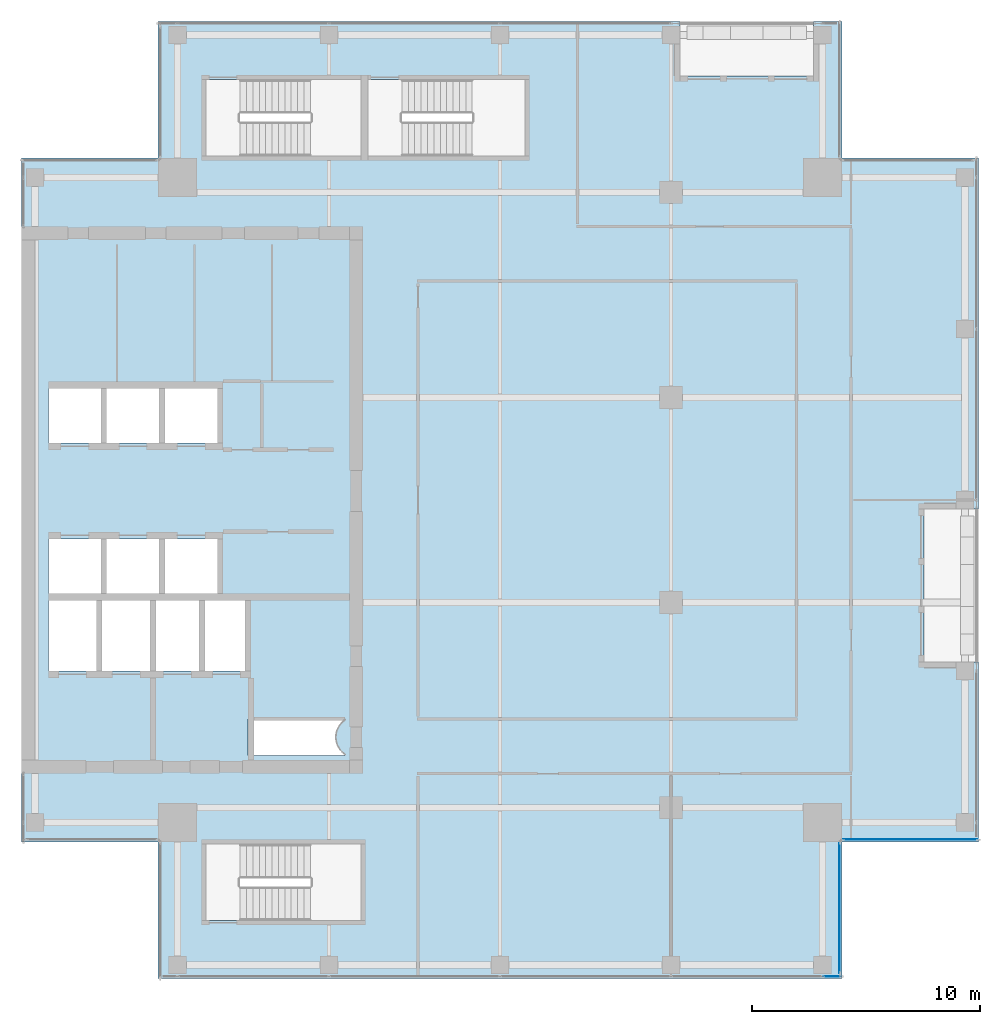
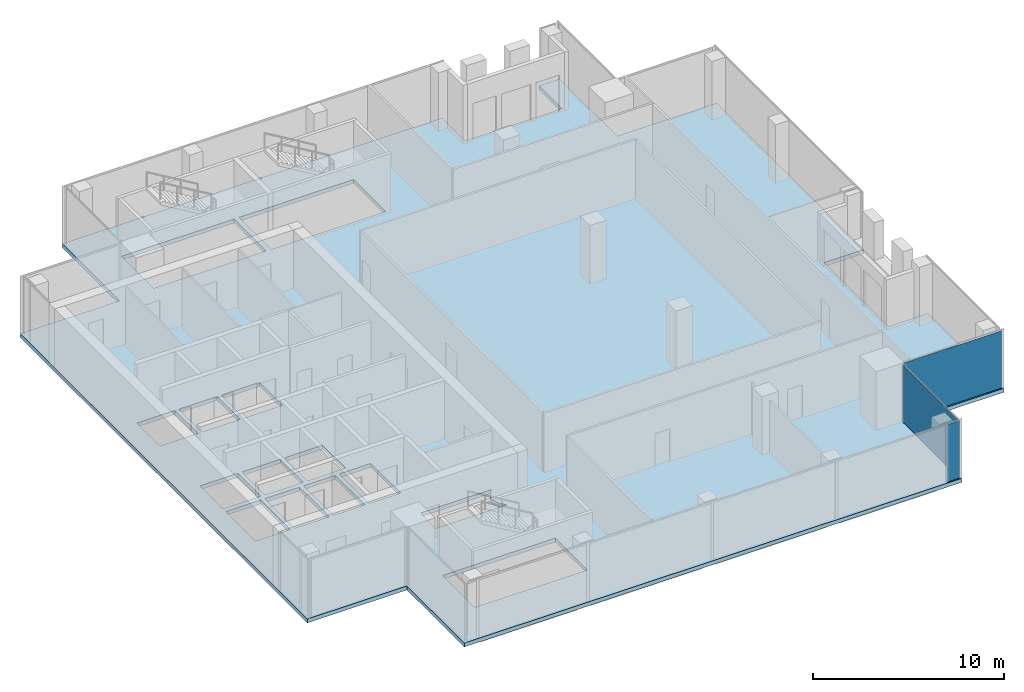
# One storey, part 21 of 29: 3 plates, 1 slab, 3 elements without a shape of their own.
"""IFC4 building model written with IfcOpenShell, lengths in metres."""

from ifc_helpers import new_model, si_unit, direction, frame, origin, origin_2d, place, context, subcontext, project, spatial, polyline, rectangle, outline, extrude, source, transform, mapped, material, layer, layer_set, type_object, element, aggregate, save


model = new_model("IFC4")

# Units and contexts
model_context = context("Model", 3, precision=1e-05, world=origin(), true_north=direction((0.0, 1.0)))
body_context = subcontext(model_context, "Body", "Model", "MODEL_VIEW")
ifc_project = project(units=[si_unit("LENGTHUNIT", "METRE"), si_unit("AREAUNIT", "SQUARE_METRE"), si_unit("VOLUMEUNIT", "CUBIC_METRE"), si_unit("PLANEANGLEUNIT", "RADIAN"), si_unit("MASSUNIT", "GRAM", prefix="KILO")], contexts=[model_context])

# Site, building, storey
site_placement = place(None, origin())
site = spatial("IfcSite", under=ifc_project, at=site_placement, CompositionType="ELEMENT")
building_placement = place(site_placement, origin())
building = spatial("IfcBuilding", under=site, at=building_placement, Name="Khomas Fold Tower", CompositionType="ELEMENT")
storey_placement = place(building_placement, frame((0.0, 0.0, 326.199951171875)))
storey = spatial("IfcBuildingStorey", under=building, at=storey_placement, Name="L74", CompositionType="ELEMENT", Elevation=326.199951171875)

# Slab
ifc_material_1 = material(Name="Concrete C40/50", Category="concrete")
ifc_layer_1 = layer(ifc_material_1, 0.25)
ifc_layer_set_1 = layer_set([ifc_layer_1], Name="Concrete C40/50")
slab_type = type_object("IfcSlabType", Name="RC floor slab 250", PredefinedType="FLOOR", material=ifc_layer_set_1)
shared_shape_1 = source(origin(), body_context, "Body", "SweptSolid", [
    extrude(outline(polyline([(6.0, 12.0), (12.0, 12.0), (12.0, 6.0), (42.0, 6.0), (42.0, 12.0), (48.0, 12.0), (48.0, 19.89990234375), (45.60009765625, 19.89990234375), (45.60009765625, 26.60009765625), (48.0, 26.60009765625), (48.0, 42.0), (42.0, 42.0), (42.0, 48.0), (40.75, 48.0), (40.75, 45.60009765625), (34.89990234375, 45.60009765625), (34.89990234375, 48.0), (12.0, 48.0), (12.0, 42.0), (6.0, 42.0), (6.0, 12.0)]), holes=[polyline([(7.199951171875, 19.5), (7.199951171875, 22.60009765625), (9.300048828125, 22.60009765625), (9.300048828125, 19.5), (7.199951171875, 19.5)]), polyline([(7.199951171875, 22.89990234375), (7.199951171875, 25.300048828125), (9.5, 25.300048828125), (9.5, 22.89990234375), (7.199951171875, 22.89990234375)]), polyline([(7.199951171875, 29.5), (7.199951171875, 31.89990234375), (9.5, 31.89990234375), (9.5, 29.5), (7.199951171875, 29.5)]), polyline([(9.550048828125, 19.5), (9.550048828125, 22.60009765625), (11.64990234375, 22.60009765625), (11.64990234375, 19.5), (9.550048828125, 19.5)]), polyline([(9.75, 22.89990234375), (9.75, 25.300048828125), (12.050048828125, 25.300048828125), (12.050048828125, 22.89990234375), (9.75, 22.89990234375)]), polyline([(9.75, 29.5), (9.75, 31.89990234375), (12.050048828125, 31.89990234375), (12.050048828125, 29.5), (9.75, 29.5)]), polyline([(11.89990234375, 19.5), (11.89990234375, 22.60009765625), (13.800048828125, 22.60009765625), (13.800048828125, 19.5), (11.89990234375, 19.5)]), polyline([(12.300048828125, 22.89990234375), (12.300048828125, 25.300048828125), (14.60009765625, 25.300048828125), (14.60009765625, 22.89990234375), (12.300048828125, 22.89990234375)]), polyline([(12.300048828125, 29.5), (12.300048828125, 31.89990234375), (14.60009765625, 31.89990234375), (14.60009765625, 29.5), (12.300048828125, 29.5)]), polyline([(14.050048828125, 19.5), (14.050048828125, 22.60009765625), (15.949951171875, 22.60009765625), (15.949951171875, 19.5), (14.050048828125, 19.5)]), polyline([(14.10009765625, 8.550048828125), (14.10009765625, 11.89990234375), (20.89990234375, 11.89990234375), (20.89990234375, 8.550048828125), (14.10009765625, 8.550048828125)]), polyline([(14.10009765625, 42.10009765625), (14.10009765625, 45.449951171875), (20.89990234375, 45.449951171875), (20.89990234375, 42.10009765625), (14.10009765625, 42.10009765625)]), polyline([(15.949951171875, 15.800048828125), (15.949951171875, 17.39990234375), (20.199951171875, 17.39990234375), (20.199951171875, 17.348388671875), (20.199951171875, 17.348388671875), (20.12890625, 17.295654296875), (20.063720703125, 17.236328125), (20.00439453125, 17.1708984375), (19.95166015625, 17.10009765625), (19.90625, 17.0244140625), (19.868408203125, 16.9443359375), (19.8388671875, 16.861328125), (19.8173828125, 16.775634765625), (19.80419921875, 16.688232421875), (19.800048828125, 16.60009765625), (19.80419921875, 16.51171875), (19.8173828125, 16.42431640625), (19.8388671875, 16.338623046875), (19.868408203125, 16.255615234375), (19.90625, 16.17578125), (19.95166015625, 16.10009765625), (20.00439453125, 16.029052734375), (20.063720703125, 15.963623046875), (20.12890625, 15.904296875), (20.199951171875, 15.851806640625), (20.199951171875, 15.851806640625), (20.199951171875, 15.800048828125), (15.949951171875, 15.800048828125)]), polyline([(21.199951171875, 42.10009765625), (21.199951171875, 45.449951171875), (28.10009765625, 45.449951171875), (28.10009765625, 42.10009765625), (21.199951171875, 42.10009765625)])]), origin(), (0.0, 0.0, 1.0), 0.25),
])
slab_placement = place(storey_placement, frame((0.0, 0.0, -0.25)))
element("IfcSlab", 1, at=slab_placement, inside=storey, type_object=slab_type, Name="S-L74", PredefinedType="FLOOR", context=body_context, shape_type="MappedRepresentation", body=[
    mapped(shared_shape_1, transform((0.0, 0.0, 0.0))),
])

# Curtain wall, plate
ifc_material_2 = material(Name="Aluminium framed double glazing", Category="aluminium")
curtain_wall_type = type_object("IfcCurtainWallType", Name="SK-Unitised clear-glass wall, upper floors CW3", PredefinedType="NOTDEFINED", material=ifc_material_2)
curtain_wall_1_placement = place(storey_placement, origin())
curtain_wall_1 = element("IfcCurtainWall", 2, at=curtain_wall_1_placement, inside=storey, type_object=curtain_wall_type, Name="CW3 run L74 00-0", PredefinedType="NOTDEFINED")
ifc_material_3 = material(Name="Clear double glazed unit")
ifc_layer_2 = layer(ifc_material_3, 0.028076171875)
ifc_layer_set_2 = layer_set([ifc_layer_2], Name="Clear double glazed unit")
plate_type = type_object("IfcPlateType", Name="SK-Unitised clear-glass wall, upper floors glass panel CW3-P", PredefinedType="CURTAIN_PANEL", material=ifc_layer_set_2)
shared_shape_2 = source(origin(), body_context, "Body", "SweptSolid", [
    extrude(rectangle(XDim=0.77490234375, YDim=0.028076171875, at=origin_2d()), origin(), (0.0, 0.0, 1.0), 3.64990234375),
])
plate_1_placement = place(storey_placement, frame((41.5625, 6.10009765625, 0.0), z_axis=(0.0, 0.0, 1.0), x_axis=(1.0, 0.0, 0.0)))
plate_1 = element("IfcPlate", 3, at=plate_1_placement, type_object=plate_type, Name="CW3 glass panel 6", PredefinedType="CURTAIN_PANEL", context=body_context, shape_type="MappedRepresentation", body=[
    mapped(shared_shape_2, transform((0.0, 0.0, 0.0))),
])
aggregate(curtain_wall_1, [plate_1])

curtain_wall_2_placement = place(storey_placement, origin())
curtain_wall_2 = element("IfcCurtainWall", 4, at=curtain_wall_2_placement, inside=storey, type_object=curtain_wall_type, Name="CW3 corner return L74 01", PredefinedType="NOTDEFINED")
shared_shape_3 = source(origin(), body_context, "Body", "SweptSolid", [
    extrude(rectangle(XDim=5.699951171875, YDim=0.028076171875, at=origin_2d()), origin(), (0.0, 0.0, 1.0), 3.64990234375),
])
plate_2_placement = place(storey_placement, frame((41.89990234375, 9.10009765625, 0.0), z_axis=(0.0, 0.0, 1.0), x_axis=(0.0, 1.0, 0.0)))
plate_2 = element("IfcPlate", 5, at=plate_2_placement, type_object=plate_type, Name="CW3 glass panel 1", PredefinedType="CURTAIN_PANEL", context=body_context, shape_type="MappedRepresentation", body=[
    mapped(shared_shape_3, transform((0.0, 0.0, 0.0))),
])
aggregate(curtain_wall_2, [plate_2])

curtain_wall_3_placement = place(storey_placement, origin())
curtain_wall_3 = element("IfcCurtainWall", 6, at=curtain_wall_3_placement, inside=storey, type_object=curtain_wall_type, Name="CW3 corner return L74 02", PredefinedType="NOTDEFINED")
shared_shape_4 = source(origin(), body_context, "Body", "SweptSolid", [
    extrude(rectangle(XDim=5.89990234375, YDim=0.028076171875, at=origin_2d()), origin(), (0.0, 0.0, 1.0), 3.64990234375),
])
plate_3_placement = place(storey_placement, frame((45.0, 12.10009765625, 0.0), z_axis=(0.0, 0.0, 1.0), x_axis=(1.0, 0.0, 0.0)))
plate_3 = element("IfcPlate", 7, at=plate_3_placement, type_object=plate_type, Name="CW3 glass panel 1", PredefinedType="CURTAIN_PANEL", context=body_context, shape_type="MappedRepresentation", body=[
    mapped(shared_shape_4, transform((0.0, 0.0, 0.0))),
])
aggregate(curtain_wall_3, [plate_3])

save(model, "model.ifc")
